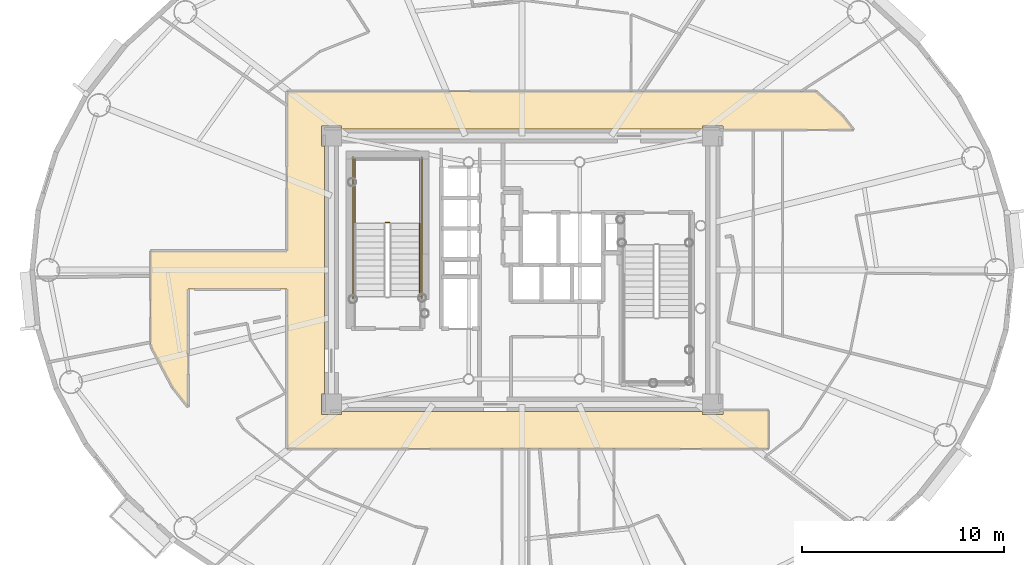
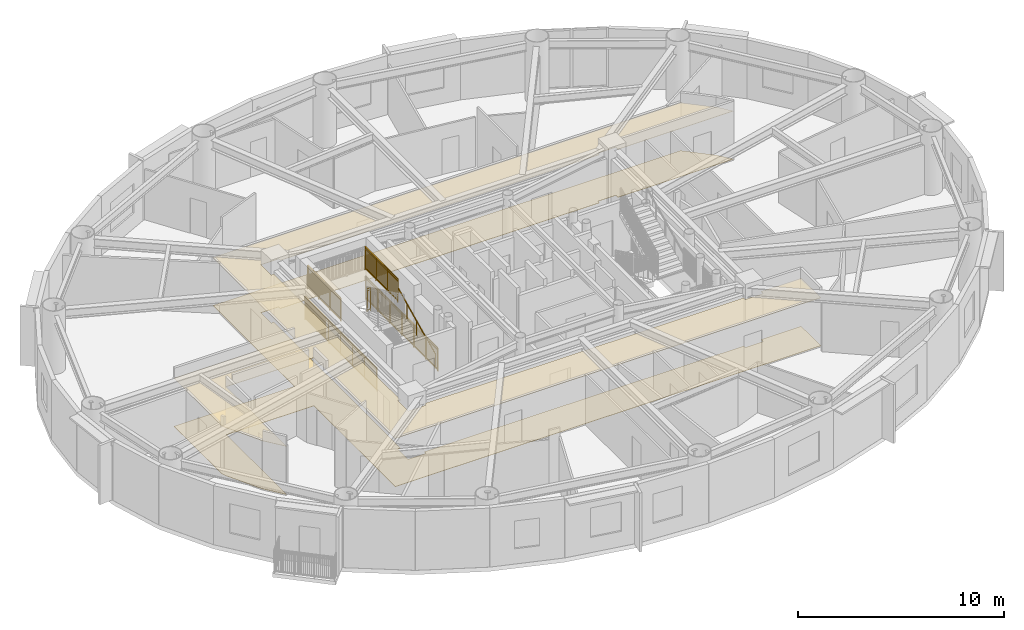
# One storey, part 13 of 16: 6 railings, 2 coverings.
"""IFC4 building model written with IfcOpenShell, lengths in metres."""

from ifc_helpers import new_model, si_unit, direction, frame, origin, origin_2d, place, context, subcontext, project, spatial, polyline, rectangle, outline, extrude, source, transform, mapped, material, layer, layer_set, type_object, element, save


model = new_model("IFC4")

# Units and contexts
model_context = context("Model", 3, precision=1e-05, world=origin(), true_north=direction((0.0, 1.0)))
body_context = subcontext(model_context, "Body", "Model", "MODEL_VIEW")
ifc_project = project(units=[si_unit("LENGTHUNIT", "METRE"), si_unit("AREAUNIT", "SQUARE_METRE"), si_unit("VOLUMEUNIT", "CUBIC_METRE"), si_unit("PLANEANGLEUNIT", "RADIAN"), si_unit("MASSUNIT", "GRAM", prefix="KILO")], contexts=[model_context])

# Site, building, storey
site_placement = place(None, origin())
site = spatial("IfcSite", under=ifc_project, at=site_placement, CompositionType="ELEMENT")
building_placement = place(site_placement, origin())
building = spatial("IfcBuilding", under=site, at=building_placement, Name="Linh Dai School and Residence Tower", CompositionType="ELEMENT")
storey_placement = place(building_placement, frame((0.0, 0.0, 255.300048828125)))
storey = spatial("IfcBuildingStorey", under=building, at=storey_placement, Name="L63", CompositionType="ELEMENT", Elevation=255.300048828125)

# Coverings
ifc_material_1 = material(Name="Mineral Fibre Acoustic Suspended Ceiling", Category="masonry")
ifc_layer_1 = layer(ifc_material_1, 0.02001953125)
ifc_layer_set_1 = layer_set([ifc_layer_1], Name="Mineral Fibre Acoustic Suspended Ceiling")
covering_type_1 = type_object("IfcCoveringType", Name="COV-CEIL-AC-20", PredefinedType="CEILING", material=ifc_layer_set_1)
covering_1_placement = place(storey_placement, frame((0.0, 0.0, 2.849853515625)))
element("IfcCovering", 1, at=covering_1_placement, inside=storey, type_object=covering_type_1, Name="L63 Residential Floor Corridor Suspended Ceiling", PredefinedType="CEILING", context=body_context, shape_type="SweptSolid", body=[
    extrude(outline(polyline([(19.449951171875, 20.211181640625), (18.6806640625, 21.1943359375), (17.66650390625, 23.111083984375), (17.60009765625, 23.327880859375), (17.60009765625, 27.949951171875), (24.35009765625, 27.949951171875), (24.35009765625, 35.85009765625), (50.56787109375, 35.85009765625), (51.873779296875, 34.65283203125), (52.423828125, 33.949951171875), (45.949951171875, 33.949951171875), (45.949951171875, 34.14990234375), (44.949951171875, 34.14990234375), (44.949951171875, 34.0), (27.050048828125, 34.0), (27.050048828125, 34.14990234375), (26.050048828125, 34.14990234375), (26.050048828125, 33.14990234375), (26.199951171875, 33.14990234375), (26.199951171875, 20.85009765625), (26.050048828125, 20.85009765625), (26.050048828125, 19.85009765625), (27.050048828125, 19.85009765625), (27.050048828125, 20.0), (44.949951171875, 20.0), (44.949951171875, 19.85009765625), (45.949951171875, 19.85009765625), (45.949951171875, 20.050048828125), (48.199951171875, 20.050048828125), (48.199951171875, 18.14990234375), (24.35009765625, 18.14990234375), (24.35009765625, 26.050048828125), (19.449951171875, 26.050048828125), (19.449951171875, 20.211181640625)])), origin(), (0.0, 0.0, 1.0), 0.02001953125),
])
ifc_material_2 = material(Name="Polished Terrazzo Floor Finish", Category="masonry")
ifc_layer_2 = layer(ifc_material_2, 0.02490234375)
ifc_layer_set_2 = layer_set([ifc_layer_2], Name="Polished Terrazzo Floor Finish")
covering_type_2 = type_object("IfcCoveringType", Name="COV-FLR-TRZ-25", PredefinedType="FLOORING", material=ifc_layer_set_2)
covering_2_placement = place(storey_placement, origin())
element("IfcCovering", 2, at=covering_2_placement, inside=storey, type_object=covering_type_2, Name="L63 Residential Floor Corridor Floor Finish", PredefinedType="FLOORING", context=body_context, shape_type="SweptSolid", body=[
    extrude(outline(polyline([(19.449951171875, 20.211181640625), (18.6806640625, 21.1943359375), (17.66650390625, 23.111083984375), (17.60009765625, 23.327880859375), (17.60009765625, 27.949951171875), (24.35009765625, 27.949951171875), (24.35009765625, 35.85009765625), (50.56787109375, 35.85009765625), (51.873779296875, 34.65283203125), (52.423828125, 33.949951171875), (45.949951171875, 33.949951171875), (45.949951171875, 34.14990234375), (44.949951171875, 34.14990234375), (44.949951171875, 34.0), (27.050048828125, 34.0), (27.050048828125, 34.14990234375), (26.050048828125, 34.14990234375), (26.050048828125, 33.14990234375), (26.199951171875, 33.14990234375), (26.199951171875, 20.85009765625), (26.050048828125, 20.85009765625), (26.050048828125, 19.85009765625), (27.050048828125, 19.85009765625), (27.050048828125, 20.0), (44.949951171875, 20.0), (44.949951171875, 19.85009765625), (45.949951171875, 19.85009765625), (45.949951171875, 20.050048828125), (48.199951171875, 20.050048828125), (48.199951171875, 18.14990234375), (24.35009765625, 18.14990234375), (24.35009765625, 26.050048828125), (19.449951171875, 26.050048828125), (19.449951171875, 20.211181640625)])), origin(), (0.0, 0.0, 1.0), 0.02001953125),
])

# Railings
ifc_material_3 = material(Name="Structural Steel S355JR", Category="steel")
railing_type_1 = type_object("IfcRailingType", Name="RL-ST-GUARD-1400", PredefinedType="GUARDRAIL", material=ifc_material_3)
shared_shape_1 = source(origin(), body_context, "Body", "SweptSolid", [
    extrude(rectangle(XDim=0.048095703125, YDim=0.048095703125, at=origin_2d()), frame((0.0, 0.0, 1.3759765625), z_axis=(-1.0, 0.0, 0.0), x_axis=(0.0, -1.0, 0.0)), (0.0, 0.0, 1.0), 0.199951171875),
    extrude(rectangle(XDim=0.048095703125, YDim=0.048095703125, at=origin_2d()), frame((0.0, 0.0, 0.10009765625), z_axis=(-1.0, 0.0, 0.0), x_axis=(0.0, -1.0, 0.0)), (0.0, 0.0, 1.0), 0.199951171875),
    extrude(rectangle(XDim=0.030029296875, YDim=0.030029296875, at=origin_2d()), frame((0.0, 0.0, 1.239990234375), z_axis=(-1.0, 0.0, 0.0), x_axis=(0.0, -1.0, 0.0)), (0.0, 0.0, 1.0), 0.199951171875),
    extrude(rectangle(XDim=0.0419921875, YDim=0.0419921875, at=origin_2d()), origin(), (0.0, 0.0, 1.0), 1.3759765625),
    extrude(rectangle(XDim=0.0419921875, YDim=0.0419921875, at=origin_2d()), frame((-0.199951171875, 0.0, 0.0)), (0.0, 0.0, 1.0), 1.3759765625),
])
railing_1_placement = place(storey_placement, frame((29.429931640625, 29.35009765625, 1.875)))
element("IfcRailing", 3, at=railing_1_placement, inside=storey, type_object=railing_type_1, Name="L63 ST1 stair guard 2", PredefinedType="GUARDRAIL", context=body_context, shape_type="MappedRepresentation", body=[
    mapped(shared_shape_1, transform((0.0, 0.0, 0.0), x_axis=(1.0, 0.0, 0.0), y_axis=(0.0, 1.0, 0.0), z_axis=(0.0, 0.0, 1.0), scale=1.0)),
])
shared_shape_2 = source(origin(), body_context, "Body", "SweptSolid", [
    extrude(rectangle(XDim=0.048095703125, YDim=0.048095703125, at=origin_2d()), frame((0.0, 0.0, 1.3759765625), z_axis=(0.0, 1.0, 0.0), x_axis=(-1.0, 0.0, 0.0)), (0.0, 0.0, 1.0), 7.0),
    extrude(rectangle(XDim=0.048095703125, YDim=0.048095703125, at=origin_2d()), frame((0.0, 0.0, 0.10009765625), z_axis=(0.0, 1.0, 0.0), x_axis=(-1.0, 0.0, 0.0)), (0.0, 0.0, 1.0), 7.0),
    extrude(rectangle(XDim=0.030029296875, YDim=0.030029296875, at=origin_2d()), frame((0.0, 0.0, 1.239990234375), z_axis=(0.0, 1.0, 0.0), x_axis=(-1.0, 0.0, 0.0)), (0.0, 0.0, 1.0), 7.0),
    extrude(rectangle(XDim=0.02001953125, YDim=0.02001953125, at=origin_2d()), frame((0.0, 0.09716796875, 0.10009765625)), (0.0, 0.0, 1.0), 1.251708984375),
    extrude(rectangle(XDim=0.02001953125, YDim=0.02001953125, at=origin_2d()), frame((0.0, 0.1943359375, 0.10009765625)), (0.0, 0.0, 1.0), 1.251708984375),
    extrude(rectangle(XDim=0.02001953125, YDim=0.02001953125, at=origin_2d()), frame((0.0, 0.291748046875, 0.10009765625)), (0.0, 0.0, 1.0), 1.251708984375),
    extrude(rectangle(XDim=0.02001953125, YDim=0.02001953125, at=origin_2d()), frame((0.0, 0.388916015625, 0.10009765625)), (0.0, 0.0, 1.0), 1.251708984375),
    extrude(rectangle(XDim=0.02001953125, YDim=0.02001953125, at=origin_2d()), frame((0.0, 0.486083984375, 0.10009765625)), (0.0, 0.0, 1.0), 1.251708984375),
    extrude(rectangle(XDim=0.02001953125, YDim=0.02001953125, at=origin_2d()), frame((0.0, 0.583251953125, 0.10009765625)), (0.0, 0.0, 1.0), 1.251708984375),
    extrude(rectangle(XDim=0.02001953125, YDim=0.02001953125, at=origin_2d()), frame((0.0, 0.6806640625, 0.10009765625)), (0.0, 0.0, 1.0), 1.251708984375),
    extrude(rectangle(XDim=0.02001953125, YDim=0.02001953125, at=origin_2d()), frame((0.0, 0.77783203125, 0.10009765625)), (0.0, 0.0, 1.0), 1.251708984375),
    extrude(rectangle(XDim=0.02001953125, YDim=0.02001953125, at=origin_2d()), frame((0.0, 0.875, 0.10009765625)), (0.0, 0.0, 1.0), 1.251708984375),
    extrude(rectangle(XDim=0.02001953125, YDim=0.02001953125, at=origin_2d()), frame((0.0, 0.97216796875, 0.10009765625)), (0.0, 0.0, 1.0), 1.251708984375),
    extrude(rectangle(XDim=0.02001953125, YDim=0.02001953125, at=origin_2d()), frame((0.0, 1.0693359375, 0.10009765625)), (0.0, 0.0, 1.0), 1.251708984375),
    extrude(rectangle(XDim=0.02001953125, YDim=0.02001953125, at=origin_2d()), frame((0.0, 1.263916015625, 0.10009765625)), (0.0, 0.0, 1.0), 1.251708984375),
    extrude(rectangle(XDim=0.02001953125, YDim=0.02001953125, at=origin_2d()), frame((0.0, 1.361083984375, 0.10009765625)), (0.0, 0.0, 1.0), 1.251708984375),
    extrude(rectangle(XDim=0.02001953125, YDim=0.02001953125, at=origin_2d()), frame((0.0, 1.458251953125, 0.10009765625)), (0.0, 0.0, 1.0), 1.251708984375),
    extrude(rectangle(XDim=0.02001953125, YDim=0.02001953125, at=origin_2d()), frame((0.0, 1.5556640625, 0.10009765625)), (0.0, 0.0, 1.0), 1.251708984375),
    extrude(rectangle(XDim=0.02001953125, YDim=0.02001953125, at=origin_2d()), frame((0.0, 1.65283203125, 0.10009765625)), (0.0, 0.0, 1.0), 1.251708984375),
    extrude(rectangle(XDim=0.02001953125, YDim=0.02001953125, at=origin_2d()), frame((0.0, 1.75, 0.10009765625)), (0.0, 0.0, 1.0), 1.251708984375),
    extrude(rectangle(XDim=0.02001953125, YDim=0.02001953125, at=origin_2d()), frame((0.0, 1.84716796875, 0.10009765625)), (0.0, 0.0, 1.0), 1.251708984375),
    extrude(rectangle(XDim=0.02001953125, YDim=0.02001953125, at=origin_2d()), frame((0.0, 1.9443359375, 0.10009765625)), (0.0, 0.0, 1.0), 1.251708984375),
    extrude(rectangle(XDim=0.02001953125, YDim=0.02001953125, at=origin_2d()), frame((0.0, 2.041748046875, 0.10009765625)), (0.0, 0.0, 1.0), 1.251708984375),
    extrude(rectangle(XDim=0.02001953125, YDim=0.02001953125, at=origin_2d()), frame((0.0, 2.138916015625, 0.10009765625)), (0.0, 0.0, 1.0), 1.251708984375),
    extrude(rectangle(XDim=0.02001953125, YDim=0.02001953125, at=origin_2d()), frame((0.0, 2.236083984375, 0.10009765625)), (0.0, 0.0, 1.0), 1.251708984375),
    extrude(rectangle(XDim=0.02001953125, YDim=0.02001953125, at=origin_2d()), frame((0.0, 2.4306640625, 0.10009765625)), (0.0, 0.0, 1.0), 1.251708984375),
    extrude(rectangle(XDim=0.02001953125, YDim=0.02001953125, at=origin_2d()), frame((0.0, 2.52783203125, 0.10009765625)), (0.0, 0.0, 1.0), 1.251708984375),
    extrude(rectangle(XDim=0.02001953125, YDim=0.02001953125, at=origin_2d()), frame((0.0, 2.625, 0.10009765625)), (0.0, 0.0, 1.0), 1.251708984375),
    extrude(rectangle(XDim=0.02001953125, YDim=0.02001953125, at=origin_2d()), frame((0.0, 2.72216796875, 0.10009765625)), (0.0, 0.0, 1.0), 1.251708984375),
    extrude(rectangle(XDim=0.02001953125, YDim=0.02001953125, at=origin_2d()), frame((0.0, 2.8193359375, 0.10009765625)), (0.0, 0.0, 1.0), 1.251708984375),
    extrude(rectangle(XDim=0.02001953125, YDim=0.02001953125, at=origin_2d()), frame((0.0, 2.916748046875, 0.10009765625)), (0.0, 0.0, 1.0), 1.251708984375),
    extrude(rectangle(XDim=0.02001953125, YDim=0.02001953125, at=origin_2d()), frame((0.0, 3.013916015625, 0.10009765625)), (0.0, 0.0, 1.0), 1.251708984375),
    extrude(rectangle(XDim=0.02001953125, YDim=0.02001953125, at=origin_2d()), frame((0.0, 3.111083984375, 0.10009765625)), (0.0, 0.0, 1.0), 1.251708984375),
    extrude(rectangle(XDim=0.02001953125, YDim=0.02001953125, at=origin_2d()), frame((0.0, 3.208251953125, 0.10009765625)), (0.0, 0.0, 1.0), 1.251708984375),
    extrude(rectangle(XDim=0.02001953125, YDim=0.02001953125, at=origin_2d()), frame((0.0, 3.3056640625, 0.10009765625)), (0.0, 0.0, 1.0), 1.251708984375),
    extrude(rectangle(XDim=0.02001953125, YDim=0.02001953125, at=origin_2d()), frame((0.0, 3.40283203125, 0.10009765625)), (0.0, 0.0, 1.0), 1.251708984375),
    extrude(rectangle(XDim=0.02001953125, YDim=0.02001953125, at=origin_2d()), frame((0.0, 3.59716796875, 0.10009765625)), (0.0, 0.0, 1.0), 1.251708984375),
    extrude(rectangle(XDim=0.02001953125, YDim=0.02001953125, at=origin_2d()), frame((0.0, 3.6943359375, 0.10009765625)), (0.0, 0.0, 1.0), 1.251708984375),
    extrude(rectangle(XDim=0.02001953125, YDim=0.02001953125, at=origin_2d()), frame((0.0, 3.791748046875, 0.10009765625)), (0.0, 0.0, 1.0), 1.251708984375),
    extrude(rectangle(XDim=0.02001953125, YDim=0.02001953125, at=origin_2d()), frame((0.0, 3.888916015625, 0.10009765625)), (0.0, 0.0, 1.0), 1.251708984375),
    extrude(rectangle(XDim=0.02001953125, YDim=0.02001953125, at=origin_2d()), frame((0.0, 3.986083984375, 0.10009765625)), (0.0, 0.0, 1.0), 1.251708984375),
    extrude(rectangle(XDim=0.02001953125, YDim=0.02001953125, at=origin_2d()), frame((0.0, 4.083251953125, 0.10009765625)), (0.0, 0.0, 1.0), 1.251708984375),
    extrude(rectangle(XDim=0.02001953125, YDim=0.02001953125, at=origin_2d()), frame((0.0, 4.1806640625, 0.10009765625)), (0.0, 0.0, 1.0), 1.251708984375),
    extrude(rectangle(XDim=0.02001953125, YDim=0.02001953125, at=origin_2d()), frame((0.0, 4.27783203125, 0.10009765625)), (0.0, 0.0, 1.0), 1.251708984375),
    extrude(rectangle(XDim=0.02001953125, YDim=0.02001953125, at=origin_2d()), frame((0.0, 4.375, 0.10009765625)), (0.0, 0.0, 1.0), 1.251708984375),
    extrude(rectangle(XDim=0.02001953125, YDim=0.02001953125, at=origin_2d()), frame((0.0, 4.47216796875, 0.10009765625)), (0.0, 0.0, 1.0), 1.251708984375),
    extrude(rectangle(XDim=0.02001953125, YDim=0.02001953125, at=origin_2d()), frame((0.0, 4.5693359375, 0.10009765625)), (0.0, 0.0, 1.0), 1.251708984375),
    extrude(rectangle(XDim=0.02001953125, YDim=0.02001953125, at=origin_2d()), frame((0.0, 4.763916015625, 0.10009765625)), (0.0, 0.0, 1.0), 1.251708984375),
    extrude(rectangle(XDim=0.02001953125, YDim=0.02001953125, at=origin_2d()), frame((0.0, 4.861083984375, 0.10009765625)), (0.0, 0.0, 1.0), 1.251708984375),
    extrude(rectangle(XDim=0.02001953125, YDim=0.02001953125, at=origin_2d()), frame((0.0, 4.958251953125, 0.10009765625)), (0.0, 0.0, 1.0), 1.251708984375),
    extrude(rectangle(XDim=0.02001953125, YDim=0.02001953125, at=origin_2d()), frame((0.0, 5.0556640625, 0.10009765625)), (0.0, 0.0, 1.0), 1.251708984375),
    extrude(rectangle(XDim=0.02001953125, YDim=0.02001953125, at=origin_2d()), frame((0.0, 5.15283203125, 0.10009765625)), (0.0, 0.0, 1.0), 1.251708984375),
    extrude(rectangle(XDim=0.02001953125, YDim=0.02001953125, at=origin_2d()), frame((0.0, 5.25, 0.10009765625)), (0.0, 0.0, 1.0), 1.251708984375),
    extrude(rectangle(XDim=0.02001953125, YDim=0.02001953125, at=origin_2d()), frame((0.0, 5.34716796875, 0.10009765625)), (0.0, 0.0, 1.0), 1.251708984375),
    extrude(rectangle(XDim=0.02001953125, YDim=0.02001953125, at=origin_2d()), frame((0.0, 5.4443359375, 0.10009765625)), (0.0, 0.0, 1.0), 1.251708984375),
    extrude(rectangle(XDim=0.02001953125, YDim=0.02001953125, at=origin_2d()), frame((0.0, 5.541748046875, 0.10009765625)), (0.0, 0.0, 1.0), 1.251708984375),
    extrude(rectangle(XDim=0.02001953125, YDim=0.02001953125, at=origin_2d()), frame((0.0, 5.638916015625, 0.10009765625)), (0.0, 0.0, 1.0), 1.251708984375),
    extrude(rectangle(XDim=0.02001953125, YDim=0.02001953125, at=origin_2d()), frame((0.0, 5.736083984375, 0.10009765625)), (0.0, 0.0, 1.0), 1.251708984375),
    extrude(rectangle(XDim=0.02001953125, YDim=0.02001953125, at=origin_2d()), frame((0.0, 5.9306640625, 0.10009765625)), (0.0, 0.0, 1.0), 1.251708984375),
    extrude(rectangle(XDim=0.02001953125, YDim=0.02001953125, at=origin_2d()), frame((0.0, 6.02783203125, 0.10009765625)), (0.0, 0.0, 1.0), 1.251708984375),
    extrude(rectangle(XDim=0.02001953125, YDim=0.02001953125, at=origin_2d()), frame((0.0, 6.125, 0.10009765625)), (0.0, 0.0, 1.0), 1.251708984375),
    extrude(rectangle(XDim=0.02001953125, YDim=0.02001953125, at=origin_2d()), frame((0.0, 6.22216796875, 0.10009765625)), (0.0, 0.0, 1.0), 1.251708984375),
    extrude(rectangle(XDim=0.02001953125, YDim=0.02001953125, at=origin_2d()), frame((0.0, 6.3193359375, 0.10009765625)), (0.0, 0.0, 1.0), 1.251708984375),
    extrude(rectangle(XDim=0.02001953125, YDim=0.02001953125, at=origin_2d()), frame((0.0, 6.416748046875, 0.10009765625)), (0.0, 0.0, 1.0), 1.251708984375),
    extrude(rectangle(XDim=0.02001953125, YDim=0.02001953125, at=origin_2d()), frame((0.0, 6.513916015625, 0.10009765625)), (0.0, 0.0, 1.0), 1.251708984375),
    extrude(rectangle(XDim=0.02001953125, YDim=0.02001953125, at=origin_2d()), frame((0.0, 6.611083984375, 0.10009765625)), (0.0, 0.0, 1.0), 1.251708984375),
    extrude(rectangle(XDim=0.02001953125, YDim=0.02001953125, at=origin_2d()), frame((0.0, 6.708251953125, 0.10009765625)), (0.0, 0.0, 1.0), 1.251708984375),
    extrude(rectangle(XDim=0.02001953125, YDim=0.02001953125, at=origin_2d()), frame((0.0, 6.8056640625, 0.10009765625)), (0.0, 0.0, 1.0), 1.251708984375),
    extrude(rectangle(XDim=0.02001953125, YDim=0.02001953125, at=origin_2d()), frame((0.0, 6.90283203125, 0.10009765625)), (0.0, 0.0, 1.0), 1.251708984375),
    extrude(rectangle(XDim=0.0419921875, YDim=0.0419921875, at=origin_2d()), origin(), (0.0, 0.0, 1.0), 1.3759765625),
    extrude(rectangle(XDim=0.0419921875, YDim=0.0419921875, at=origin_2d()), frame((0.0, 1.166748046875, 0.0)), (0.0, 0.0, 1.0), 1.3759765625),
    extrude(rectangle(XDim=0.0419921875, YDim=0.0419921875, at=origin_2d()), frame((0.0, 2.333251953125, 0.0)), (0.0, 0.0, 1.0), 1.3759765625),
    extrude(rectangle(XDim=0.0419921875, YDim=0.0419921875, at=origin_2d()), frame((0.0, 3.5, 0.0)), (0.0, 0.0, 1.0), 1.3759765625),
    extrude(rectangle(XDim=0.0419921875, YDim=0.0419921875, at=origin_2d()), frame((0.0, 4.666748046875, 0.0)), (0.0, 0.0, 1.0), 1.3759765625),
    extrude(rectangle(XDim=0.0419921875, YDim=0.0419921875, at=origin_2d()), frame((0.0, 5.833251953125, 0.0)), (0.0, 0.0, 1.0), 1.3759765625),
    extrude(rectangle(XDim=0.0419921875, YDim=0.0419921875, at=origin_2d()), frame((0.0, 7.0, 0.0)), (0.0, 0.0, 1.0), 1.3759765625),
])
for number, where, name in (
    (4, (31.030029296875, 25.60009765625, 0.0), "L63 ST1 stair guard 10"),
    (5, (27.6298828125, 25.60009765625, 0.0), "L63 ST1 stair guard 11"),
):
    element("IfcRailing", number, at=place(storey_placement, frame(where)), inside=storey, type_object=railing_type_1, Name=name, PredefinedType="GUARDRAIL", context=body_context, shape_type="MappedRepresentation", body=[
        mapped(shared_shape_2, transform((0.0, 0.0, 0.0), x_axis=(1.0, 0.0, 0.0), y_axis=(0.0, 1.0, 0.0), z_axis=(0.0, 0.0, 1.0), scale=1.0)),
    ])
shared_shape_3 = source(origin(), body_context, "Body", "SweptSolid", [
    extrude(rectangle(XDim=0.048095703125, YDim=0.048095703125, at=origin_2d()), frame((0.0, 0.0, 1.3759765625), z_axis=(0.0, 1.0, 0.0), x_axis=(-1.0, 0.0, 0.0)), (0.0, 0.0, 1.0), 3.199951171875),
    extrude(rectangle(XDim=0.048095703125, YDim=0.048095703125, at=origin_2d()), frame((0.0, 0.0, 0.10009765625), z_axis=(0.0, 1.0, 0.0), x_axis=(-1.0, 0.0, 0.0)), (0.0, 0.0, 1.0), 3.199951171875),
    extrude(rectangle(XDim=0.030029296875, YDim=0.030029296875, at=origin_2d()), frame((0.0, 0.0, 1.239990234375), z_axis=(0.0, 1.0, 0.0), x_axis=(-1.0, 0.0, 0.0)), (0.0, 0.0, 1.0), 3.199951171875),
    extrude(rectangle(XDim=0.02001953125, YDim=0.02001953125, at=origin_2d()), frame((0.0, 0.096923828125, 0.10009765625)), (0.0, 0.0, 1.0), 1.251708984375),
    extrude(rectangle(XDim=0.02001953125, YDim=0.02001953125, at=origin_2d()), frame((0.0, 0.19384765625, 0.10009765625)), (0.0, 0.0, 1.0), 1.251708984375),
    extrude(rectangle(XDim=0.02001953125, YDim=0.02001953125, at=origin_2d()), frame((0.0, 0.291015625, 0.10009765625)), (0.0, 0.0, 1.0), 1.251708984375),
    extrude(rectangle(XDim=0.02001953125, YDim=0.02001953125, at=origin_2d()), frame((0.0, 0.387939453125, 0.10009765625)), (0.0, 0.0, 1.0), 1.251708984375),
    extrude(rectangle(XDim=0.02001953125, YDim=0.02001953125, at=origin_2d()), frame((0.0, 0.48486328125, 0.10009765625)), (0.0, 0.0, 1.0), 1.251708984375),
    extrude(rectangle(XDim=0.02001953125, YDim=0.02001953125, at=origin_2d()), frame((0.0, 0.581787109375, 0.10009765625)), (0.0, 0.0, 1.0), 1.251708984375),
    extrude(rectangle(XDim=0.02001953125, YDim=0.02001953125, at=origin_2d()), frame((0.0, 0.6787109375, 0.10009765625)), (0.0, 0.0, 1.0), 1.251708984375),
    extrude(rectangle(XDim=0.02001953125, YDim=0.02001953125, at=origin_2d()), frame((0.0, 0.775634765625, 0.10009765625)), (0.0, 0.0, 1.0), 1.251708984375),
    extrude(rectangle(XDim=0.02001953125, YDim=0.02001953125, at=origin_2d()), frame((0.0, 0.872802734375, 0.10009765625)), (0.0, 0.0, 1.0), 1.251708984375),
    extrude(rectangle(XDim=0.02001953125, YDim=0.02001953125, at=origin_2d()), frame((0.0, 0.9697265625, 0.10009765625)), (0.0, 0.0, 1.0), 1.251708984375),
    extrude(rectangle(XDim=0.02001953125, YDim=0.02001953125, at=origin_2d()), frame((0.0, 1.16357421875, 0.10009765625)), (0.0, 0.0, 1.0), 1.251708984375),
    extrude(rectangle(XDim=0.02001953125, YDim=0.02001953125, at=origin_2d()), frame((0.0, 1.260498046875, 0.10009765625)), (0.0, 0.0, 1.0), 1.251708984375),
    extrude(rectangle(XDim=0.02001953125, YDim=0.02001953125, at=origin_2d()), frame((0.0, 1.357666015625, 0.10009765625)), (0.0, 0.0, 1.0), 1.251708984375),
    extrude(rectangle(XDim=0.02001953125, YDim=0.02001953125, at=origin_2d()), frame((0.0, 1.45458984375, 0.10009765625)), (0.0, 0.0, 1.0), 1.251708984375),
    extrude(rectangle(XDim=0.02001953125, YDim=0.02001953125, at=origin_2d()), frame((0.0, 1.551513671875, 0.10009765625)), (0.0, 0.0, 1.0), 1.251708984375),
    extrude(rectangle(XDim=0.02001953125, YDim=0.02001953125, at=origin_2d()), frame((0.0, 1.6484375, 0.10009765625)), (0.0, 0.0, 1.0), 1.251708984375),
    extrude(rectangle(XDim=0.02001953125, YDim=0.02001953125, at=origin_2d()), frame((0.0, 1.745361328125, 0.10009765625)), (0.0, 0.0, 1.0), 1.251708984375),
    extrude(rectangle(XDim=0.02001953125, YDim=0.02001953125, at=origin_2d()), frame((0.0, 1.84228515625, 0.10009765625)), (0.0, 0.0, 1.0), 1.251708984375),
    extrude(rectangle(XDim=0.02001953125, YDim=0.02001953125, at=origin_2d()), frame((0.0, 1.939453125, 0.10009765625)), (0.0, 0.0, 1.0), 1.251708984375),
    extrude(rectangle(XDim=0.02001953125, YDim=0.02001953125, at=origin_2d()), frame((0.0, 2.036376953125, 0.10009765625)), (0.0, 0.0, 1.0), 1.251708984375),
    extrude(rectangle(XDim=0.02001953125, YDim=0.02001953125, at=origin_2d()), frame((0.0, 2.230224609375, 0.10009765625)), (0.0, 0.0, 1.0), 1.251708984375),
    extrude(rectangle(XDim=0.02001953125, YDim=0.02001953125, at=origin_2d()), frame((0.0, 2.3271484375, 0.10009765625)), (0.0, 0.0, 1.0), 1.251708984375),
    extrude(rectangle(XDim=0.02001953125, YDim=0.02001953125, at=origin_2d()), frame((0.0, 2.42431640625, 0.10009765625)), (0.0, 0.0, 1.0), 1.251708984375),
    extrude(rectangle(XDim=0.02001953125, YDim=0.02001953125, at=origin_2d()), frame((0.0, 2.521240234375, 0.10009765625)), (0.0, 0.0, 1.0), 1.251708984375),
    extrude(rectangle(XDim=0.02001953125, YDim=0.02001953125, at=origin_2d()), frame((0.0, 2.6181640625, 0.10009765625)), (0.0, 0.0, 1.0), 1.251708984375),
    extrude(rectangle(XDim=0.02001953125, YDim=0.02001953125, at=origin_2d()), frame((0.0, 2.715087890625, 0.10009765625)), (0.0, 0.0, 1.0), 1.251708984375),
    extrude(rectangle(XDim=0.02001953125, YDim=0.02001953125, at=origin_2d()), frame((0.0, 2.81201171875, 0.10009765625)), (0.0, 0.0, 1.0), 1.251708984375),
    extrude(rectangle(XDim=0.02001953125, YDim=0.02001953125, at=origin_2d()), frame((0.0, 2.908935546875, 0.10009765625)), (0.0, 0.0, 1.0), 1.251708984375),
    extrude(rectangle(XDim=0.02001953125, YDim=0.02001953125, at=origin_2d()), frame((0.0, 3.006103515625, 0.10009765625)), (0.0, 0.0, 1.0), 1.251708984375),
    extrude(rectangle(XDim=0.02001953125, YDim=0.02001953125, at=origin_2d()), frame((0.0, 3.10302734375, 0.10009765625)), (0.0, 0.0, 1.0), 1.251708984375),
    extrude(rectangle(XDim=0.0419921875, YDim=0.0419921875, at=origin_2d()), origin(), (0.0, 0.0, 1.0), 1.3759765625),
    extrude(rectangle(XDim=0.0419921875, YDim=0.0419921875, at=origin_2d()), frame((0.0, 1.066650390625, 0.0)), (0.0, 0.0, 1.0), 1.3759765625),
    extrude(rectangle(XDim=0.0419921875, YDim=0.0419921875, at=origin_2d()), frame((0.0, 2.13330078125, 0.0)), (0.0, 0.0, 1.0), 1.3759765625),
    extrude(rectangle(XDim=0.0419921875, YDim=0.0419921875, at=origin_2d()), frame((0.0, 3.199951171875, 0.0)), (0.0, 0.0, 1.0), 1.3759765625),
])
for number, where, name in (
    (6, (30.929931640625, 29.300048828125, 1.875), "L63 ST1 stair guard 3"),
    (7, (27.72998046875, 29.300048828125, 1.875), "L63 ST1 stair guard 4"),
):
    element("IfcRailing", number, at=place(storey_placement, frame(where)), inside=storey, type_object=railing_type_1, Name=name, PredefinedType="GUARDRAIL", context=body_context, shape_type="MappedRepresentation", body=[
        mapped(shared_shape_3, transform((0.0, 0.0, 0.0), x_axis=(1.0, 0.0, 0.0), y_axis=(0.0, 1.0, 0.0), z_axis=(0.0, 0.0, 1.0), scale=1.0)),
    ])
ifc_material_4 = material(Name="Brushed Stainless Steel Handrail", Category="steel")
railing_type_2 = type_object("IfcRailingType", Name="RL-ST-HANDRAIL-900", PredefinedType="HANDRAIL", material=ifc_material_4)
shared_shape_4 = source(origin(), body_context, "Body", "SweptSolid", [
    extrude(rectangle(XDim=0.048095703125, YDim=0.048095703125, at=origin_2d()), frame((0.0, 0.0, 0.8759765625), z_axis=(0.0, 0.901262522062, 0.433273431364), x_axis=(-1.0, 0.0, 0.0)), (0.0, 0.0, 1.0), 3.994384765625),
    extrude(rectangle(XDim=0.0419921875, YDim=0.0419921875, at=origin_2d()), origin(), (0.0, 0.0, 1.0), 0.8759765625),
    extrude(rectangle(XDim=0.0419921875, YDim=0.0419921875, at=origin_2d()), frame((0.0, 0.89990234375, 0.4326171875)), (0.0, 0.0, 1.0), 0.8759765625),
    extrude(rectangle(XDim=0.0419921875, YDim=0.0419921875, at=origin_2d()), frame((0.0, 1.800048828125, 0.865234375)), (0.0, 0.0, 1.0), 0.8759765625),
    extrude(rectangle(XDim=0.0419921875, YDim=0.0419921875, at=origin_2d()), frame((0.0, 2.7001953125, 1.298095703125)), (0.0, 0.0, 1.0), 0.8759765625),
    extrude(rectangle(XDim=0.0419921875, YDim=0.0419921875, at=origin_2d()), frame((0.0, 3.60009765625, 1.730712890625)), (0.0, 0.0, 1.0), 0.8759765625),
])
railing_2_placement = place(storey_placement, frame((30.929931640625, 25.699951171875, 0.144287109375)))
element("IfcRailing", 8, at=railing_2_placement, inside=storey, type_object=railing_type_2, Name="L63 ST1 stair handrail 1", PredefinedType="HANDRAIL", context=body_context, shape_type="MappedRepresentation", body=[
    mapped(shared_shape_4, transform((0.0, 0.0, 0.0), x_axis=(1.0, 0.0, 0.0), y_axis=(0.0, 1.0, 0.0), z_axis=(0.0, 0.0, 1.0), scale=1.0)),
])

save(model, "model.ifc")
